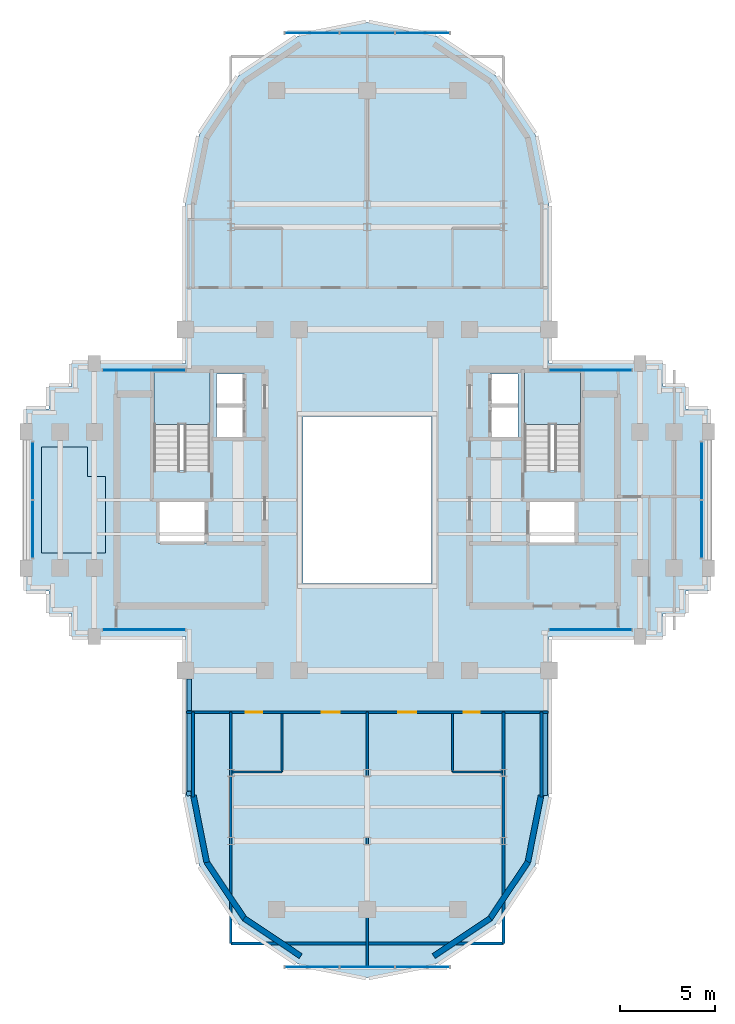
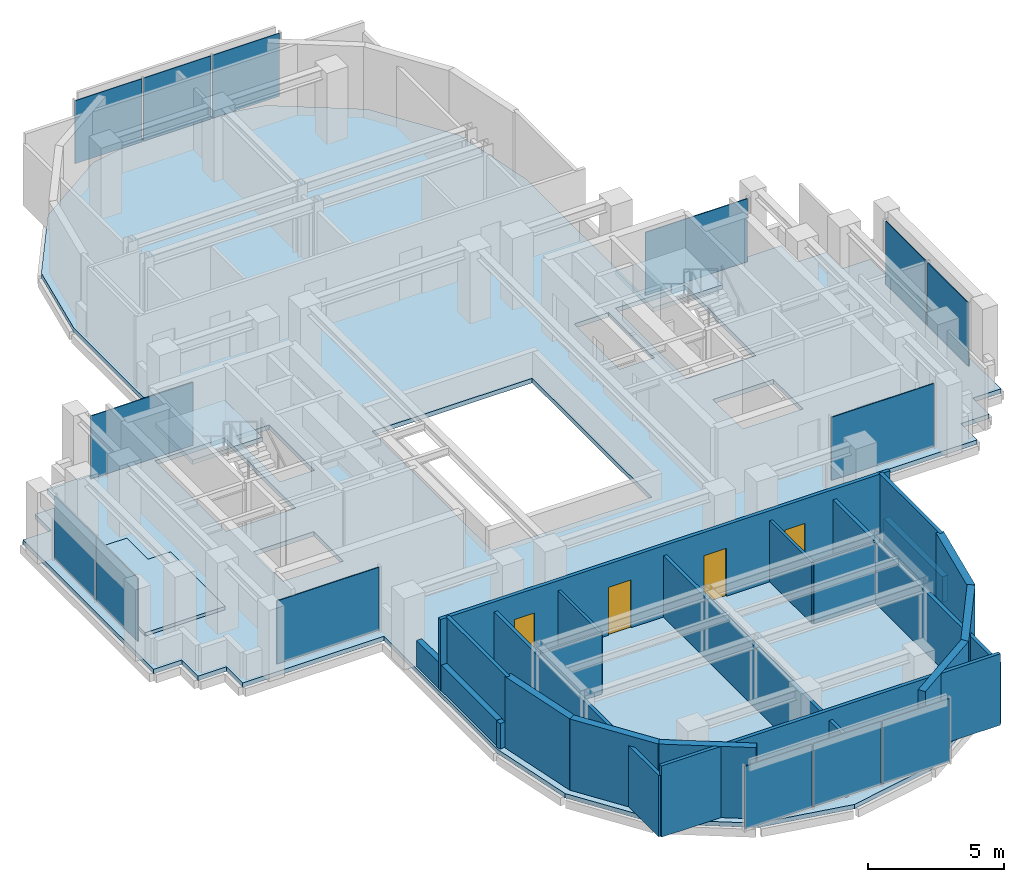
# One storey, part 5 of 11: 21 walls, 14 plates, 4 doors, 4 slabs, 4 openings, 10 elements without a shape of their own.
"""IFC4 building model written with IfcOpenShell, lengths in metres."""

from ifc_helpers import new_model, si_unit, direction, frame, frame_2d, origin, origin_2d, place, context, subcontext, project, spatial, polyline, rectangle, outline, extrude, source, transform, mapped, material, layer, layer_set, type_object, element, fill, aggregate, save


model = new_model("IFC4")

# Units and contexts
model_context = context("Model", 3, precision=1e-05, world=origin(), true_north=direction((0.0, 1.0)))
body_context = subcontext(model_context, "Body", "Model", "MODEL_VIEW")
ifc_project = project(units=[si_unit("LENGTHUNIT", "METRE"), si_unit("AREAUNIT", "SQUARE_METRE"), si_unit("VOLUMEUNIT", "CUBIC_METRE"), si_unit("PLANEANGLEUNIT", "RADIAN"), si_unit("MASSUNIT", "GRAM", prefix="KILO")], contexts=[model_context])

# Site, building, storey
site_placement = place(None, origin())
site = spatial("IfcSite", under=ifc_project, at=site_placement, CompositionType="ELEMENT")
building_placement = place(site_placement, origin())
building = spatial("IfcBuilding", under=site, at=building_placement, Name="Keilestroom Media Tower", CompositionType="ELEMENT")
storey_placement = place(building_placement, frame((0.0, 0.0, 194.39990234375)))
storey = spatial("IfcBuildingStorey", under=building, at=storey_placement, Name="L53", CompositionType="ELEMENT", Elevation=194.39990234375)

# Slabs
ifc_material_1 = material(Name="Concrete C50/60", Category="concrete")
ifc_layer_1 = layer(ifc_material_1, 0.199951171875)
ifc_layer_set_1 = layer_set([ifc_layer_1], Name="Concrete C50/60")
slab_type_1 = type_object("IfcSlabType", Name="Composite-Floor-Slab-200", PredefinedType="FLOOR", material=ifc_layer_set_1)
slab_1_placement = place(storey_placement, frame((0.0, 0.0, -0.199951171875)))
element("IfcSlab", 1, at=slab_1_placement, inside=storey, type_object=slab_type_1, Name="L53 Structural Composite Floor Slab", PredefinedType="FLOOR", context=body_context, shape_type="SweptSolid", body=[
    extrude(outline(polyline([(18.0, -4.800048828125), (18.0, 4.800048828125), (16.800048828125, 4.800048828125), (16.800048828125, 6.0), (15.60009765625, 6.0), (15.60009765625, 7.199951171875), (9.60009765625, 7.199951171875), (9.60009765625, 9.60009765625), (9.60009765625, 15.60009765625), (8.869140625, 19.273681640625), (6.7880859375, 22.38818359375), (3.673828125, 24.46923828125), (0.0, 25.199951171875), (-3.673828125, 24.46923828125), (-6.7880859375, 22.38818359375), (-8.869140625, 19.273681640625), (-9.60009765625, 15.60009765625), (-9.60009765625, 9.60009765625), (-9.60009765625, 7.199951171875), (-15.60009765625, 7.199951171875), (-15.60009765625, 6.0), (-16.800048828125, 6.0), (-16.800048828125, 4.800048828125), (-18.0, 4.800048828125), (-18.0, -4.800048828125), (-16.800048828125, -4.800048828125), (-16.800048828125, -6.0), (-15.60009765625, -6.0), (-15.60009765625, -7.199951171875), (-9.60009765625, -7.199951171875), (-9.60009765625, -9.60009765625), (-9.60009765625, -15.60009765625), (-8.869140625, -19.273681640625), (-6.7880859375, -22.38818359375), (-3.673828125, -24.46923828125), (0.0, -25.199951171875), (3.673828125, -24.46923828125), (6.7880859375, -22.38818359375), (8.869140625, -19.273681640625), (9.60009765625, -15.60009765625), (9.60009765625, -9.60009765625), (9.60009765625, -7.199951171875), (15.60009765625, -7.199951171875), (15.60009765625, -6.0), (16.800048828125, -6.0), (16.800048828125, -4.800048828125), (18.0, -4.800048828125)]), holes=[polyline([(-8.300048828125, 1.544921875), (-11.260009765625, 1.544921875), (-11.260009765625, 6.760009765625), (-8.300048828125, 6.760009765625), (-8.300048828125, 1.544921875)]), polyline([(-8.47998046875, -2.280029296875), (-11.050048828125, -2.280029296875), (-11.050048828125, -0.10009765625), (-8.47998046875, -0.10009765625), (-8.47998046875, -2.280029296875)]), polyline([(-6.47998046875, 3.300048828125), (-7.949951171875, 3.300048828125), (-7.949951171875, 6.64990234375), (-6.47998046875, 6.64990234375), (-6.47998046875, 3.300048828125)]), polyline([(3.39990234375, -4.39990234375), (-3.39990234375, -4.39990234375), (-3.39990234375, 4.39990234375), (3.39990234375, 4.39990234375), (3.39990234375, -4.39990234375)]), polyline([(7.949951171875, 3.300048828125), (6.47998046875, 3.300048828125), (6.47998046875, 6.64990234375), (7.949951171875, 6.64990234375), (7.949951171875, 3.300048828125)]), polyline([(11.260009765625, 1.544921875), (8.300048828125, 1.544921875), (8.300048828125, 6.760009765625), (11.260009765625, 6.760009765625), (11.260009765625, 1.544921875)]), polyline([(11.050048828125, -2.280029296875), (8.47998046875, -2.280029296875), (8.47998046875, -0.10009765625), (11.050048828125, -0.10009765625), (11.050048828125, -2.280029296875)])]), origin(), (0.0, 0.0, 1.0), 0.199951171875),
])
ifc_material_2 = material(Name="Concrete C45/55", Category="concrete")
ifc_layer_2 = layer(ifc_material_2, 0.14990234375)
ifc_layer_set_2 = layer_set([ifc_layer_2], Name="Concrete C45/55")
slab_type_2 = type_object("IfcSlabType", Name="Floating-Studio-Floor-Slab-150", PredefinedType="FLOOR", material=ifc_layer_set_2)
slab_2_placement = place(storey_placement, origin())
element("IfcSlab", 2, at=slab_2_placement, inside=storey, type_object=slab_type_2, Name="L53 Acoustic Floating Studio Slab ST-STE-Z3", PredefinedType="FLOOR", context=body_context, shape_type="SweptSolid", body=[
    extrude(outline(polyline([(-17.199951171875, -2.800048828125), (-13.800048828125, -2.800048828125), (-13.800048828125, 1.23193359375), (-14.751953125, 1.23193359375), (-14.751953125, 2.800048828125), (-17.199951171875, 2.800048828125), (-17.199951171875, -2.800048828125)])), origin(), (0.0, 0.0, 1.0), 0.150146484375),
])

# Stair, slab
stair_type = type_object("IfcStairType", Name="Enclosed-Dog-Leg-Stair-ST-CORE", PredefinedType="HALF_TURN_STAIR", material=ifc_material_2)
stair_1_placement = place(storey_placement, origin())
stair_1 = element("IfcStair", 3, at=stair_1_placement, inside=storey, type_object=stair_type, Name="L53 West Core Escape Stair ST-1", PredefinedType="HALF_TURN_STAIR")
ifc_layer_3 = layer(ifc_material_2, 0.199951171875)
ifc_layer_set_3 = layer_set([ifc_layer_3], Name="Concrete C45/55")
slab_type_3 = type_object("IfcSlabType", Name="Stair-Intermediate-And-Top-Landing-Slab-200", PredefinedType="LANDING", material=ifc_layer_set_3)
slab_3_placement = place(storey_placement, frame((0.0, 0.0, 1.5)))
slab_3 = element("IfcSlab", 4, at=slab_3_placement, type_object=slab_type_3, Name="ST-1 landing 1", PredefinedType="LANDING", context=body_context, shape_type="SweptSolid", body=[
    extrude(outline(polyline([(-8.300048828125, 3.99609375), (-8.300048828125, 6.760009765625), (-11.260009765625, 6.760009765625), (-11.260009765625, 3.99609375), (-8.300048828125, 3.99609375)])), origin(), (0.0, 0.0, 1.0), 0.2001953125),
])
aggregate(stair_1, [slab_3])

stair_2_placement = place(storey_placement, origin())
stair_2 = element("IfcStair", 5, at=stair_2_placement, inside=storey, type_object=stair_type, Name="L53 East Core Escape Stair ST-2", PredefinedType="HALF_TURN_STAIR")
slab_4_placement = place(storey_placement, frame((0.0, 0.0, 1.5)))
slab_4 = element("IfcSlab", 6, at=slab_4_placement, type_object=slab_type_3, Name="ST-2 landing 1", PredefinedType="LANDING", context=body_context, shape_type="SweptSolid", body=[
    extrude(outline(polyline([(11.260009765625, 3.99609375), (11.260009765625, 6.760009765625), (8.300048828125, 6.760009765625), (8.300048828125, 3.99609375), (11.260009765625, 3.99609375)])), origin(), (0.0, 0.0, 1.0), 0.2001953125),
])
aggregate(stair_2, [slab_4])

# Curtain wall, plates
ifc_material_3 = material(Name="Anodised Aluminium Alloy", Category="aluminium")
curtain_wall_type_1 = type_object("IfcCurtainWallType", Name="Unitised-Curtain-Wall-CW-6", PredefinedType="NOTDEFINED", material=ifc_material_3)
curtain_wall_1_placement = place(storey_placement, origin())
curtain_wall_1 = element("IfcCurtainWall", 7, at=curtain_wall_1_placement, inside=storey, type_object=curtain_wall_type_1, Name="L53 Curtain Wall CW-6 CW-L53-LN-1", PredefinedType="NOTDEFINED")
ifc_material_4 = material(Name="Curved-Facet Triple Glazed Unit", Category="glass")
ifc_layer_4 = layer(ifc_material_4, 0.033935546875)
ifc_layer_set_4 = layer_set([ifc_layer_4], Name="Curved-Facet Triple Glazed Unit")
plate_type_1 = type_object("IfcPlateType", Name="Insulated-Curtain-Wall-Glazing-Panel-CW-6", PredefinedType="CURTAIN_PANEL", material=ifc_layer_set_4)
shared_shape_1 = source(origin(), body_context, "Body", "SweptSolid", [
    extrude(rectangle(XDim=2.84375, YDim=0.033935546875, at=origin_2d()), origin(), (0.0, 0.0, 1.0), 2.833984375),
])
plate_1_placement = place(storey_placement, frame((-2.9169921875, 24.64990234375, 0.072998046875), z_axis=(0.0, 0.0, 1.0), x_axis=(1.0, 0.0, 0.0)))
plate_1 = element("IfcPlate", 8, at=plate_1_placement, type_object=plate_type_1, Name="CW-6 Unitised Glazing 00", PredefinedType="CURTAIN_PANEL", context=body_context, shape_type="MappedRepresentation", body=[
    mapped(shared_shape_1, transform((0.0, 0.0, 0.0), x_axis=(1.0, 0.0, 0.0), y_axis=(0.0, 1.0, 0.0), z_axis=(0.0, 0.0, 1.0), scale=1.0)),
])
plate_2_placement = place(storey_placement, frame((2.9169921875, 24.64990234375, 0.072998046875), z_axis=(0.0, 0.0, 1.0), x_axis=(1.0, 0.0, 0.0)))
plate_2 = element("IfcPlate", 9, at=plate_2_placement, type_object=plate_type_1, Name="CW-6 Unitised Glazing 02", PredefinedType="CURTAIN_PANEL", context=body_context, shape_type="MappedRepresentation", body=[
    mapped(shared_shape_1, transform((0.0, 0.0, 0.0), x_axis=(1.0, 0.0, 0.0), y_axis=(0.0, 1.0, 0.0), z_axis=(0.0, 0.0, 1.0), scale=1.0)),
])

curtain_wall_2_placement = place(storey_placement, origin())
curtain_wall_2 = element("IfcCurtainWall", 10, at=curtain_wall_2_placement, inside=storey, type_object=curtain_wall_type_1, Name="L53 Curtain Wall CW-6 CW-L53-LS-1", PredefinedType="NOTDEFINED")
plate_3_placement = place(storey_placement, frame((-2.9169921875, -24.64990234375, 0.072998046875), z_axis=(0.0, 0.0, 1.0), x_axis=(1.0, 0.0, 0.0)))
plate_3 = element("IfcPlate", 11, at=plate_3_placement, type_object=plate_type_1, Name="CW-6 Unitised Glazing 00", PredefinedType="CURTAIN_PANEL", context=body_context, shape_type="MappedRepresentation", body=[
    mapped(shared_shape_1, transform((0.0, 0.0, 0.0), x_axis=(1.0, 0.0, 0.0), y_axis=(0.0, 1.0, 0.0), z_axis=(0.0, 0.0, 1.0), scale=1.0)),
])
plate_4_placement = place(storey_placement, frame((2.9169921875, -24.64990234375, 0.072998046875), z_axis=(0.0, 0.0, 1.0), x_axis=(1.0, 0.0, 0.0)))
plate_4 = element("IfcPlate", 12, at=plate_4_placement, type_object=plate_type_1, Name="CW-6 Unitised Glazing 02", PredefinedType="CURTAIN_PANEL", context=body_context, shape_type="MappedRepresentation", body=[
    mapped(shared_shape_1, transform((0.0, 0.0, 0.0), x_axis=(1.0, 0.0, 0.0), y_axis=(0.0, 1.0, 0.0), z_axis=(0.0, 0.0, 1.0), scale=1.0)),
])

# Plate
shared_shape_2 = source(origin(), body_context, "Body", "SweptSolid", [
    extrude(rectangle(XDim=2.876220703125, YDim=0.033935546875, at=origin_2d()), origin(), (0.0, 0.0, 1.0), 2.833984375),
])
plate_5_placement = place(storey_placement, frame((0.0, 24.64990234375, 0.072998046875), z_axis=(0.0, 0.0, 1.0), x_axis=(1.0, 0.0, 0.0)))
plate_5 = element("IfcPlate", 13, at=plate_5_placement, type_object=plate_type_1, Name="CW-6 Unitised Glazing 01", PredefinedType="CURTAIN_PANEL", context=body_context, shape_type="MappedRepresentation", body=[
    mapped(shared_shape_2, transform((0.0, 0.0, 0.0), x_axis=(1.0, 0.0, 0.0), y_axis=(0.0, 1.0, 0.0), z_axis=(0.0, 0.0, 1.0), scale=1.0)),
])

aggregate(curtain_wall_1, [plate_1, plate_5, plate_2])

plate_6_placement = place(storey_placement, frame((0.0, -24.64990234375, 0.072998046875), z_axis=(0.0, 0.0, 1.0), x_axis=(1.0, 0.0, 0.0)))
plate_6 = element("IfcPlate", 14, at=plate_6_placement, type_object=plate_type_1, Name="CW-6 Unitised Glazing 01", PredefinedType="CURTAIN_PANEL", context=body_context, shape_type="MappedRepresentation", body=[
    mapped(shared_shape_2, transform((0.0, 0.0, 0.0), x_axis=(1.0, 0.0, 0.0), y_axis=(0.0, 1.0, 0.0), z_axis=(0.0, 0.0, 1.0), scale=1.0)),
])

aggregate(curtain_wall_2, [plate_3, plate_6, plate_4])

# Curtain wall, plate
curtain_wall_type_2 = type_object("IfcCurtainWallType", Name="Unitised-Curtain-Wall-CW-3", PredefinedType="NOTDEFINED", material=ifc_material_3)
curtain_wall_3_placement = place(storey_placement, origin())
curtain_wall_3 = element("IfcCurtainWall", 15, at=curtain_wall_3_placement, inside=storey, type_object=curtain_wall_type_2, Name="L53 Curtain Wall CW-3 CW-L53-NW-1", PredefinedType="NOTDEFINED")
ifc_material_5 = material(Name="Triple Glazed Acoustic Low-E Unit", Category="glass")
ifc_layer_5 = layer(ifc_material_5, 0.0380859375)
ifc_layer_set_5 = layer_set([ifc_layer_5], Name="Triple Glazed Acoustic Low-E Unit")
plate_type_2 = type_object("IfcPlateType", Name="Insulated-Curtain-Wall-Glazing-Panel-CW-3", PredefinedType="CURTAIN_PANEL", material=ifc_layer_set_5)
shared_shape_3 = source(origin(), body_context, "Body", "SweptSolid", [
    extrude(rectangle(XDim=4.343017578125, YDim=0.0380859375, at=origin_2d()), origin(), (0.0, 0.0, 1.0), 2.833984375),
])
plate_7_placement = place(storey_placement, frame((-11.782470703125, 6.85009765625, 0.072998046875), z_axis=(0.0, 0.0, 1.0), x_axis=(1.0, 0.0, 0.0)))
plate_7 = element("IfcPlate", 16, at=plate_7_placement, type_object=plate_type_2, Name="CW-3 Unitised Glazing 00", PredefinedType="CURTAIN_PANEL", context=body_context, shape_type="MappedRepresentation", body=[
    mapped(shared_shape_3, transform((0.0, 0.0, 0.0), x_axis=(1.0, 0.0, 0.0), y_axis=(0.0, 1.0, 0.0), z_axis=(0.0, 0.0, 1.0), scale=1.0)),
])
aggregate(curtain_wall_3, [plate_7])

curtain_wall_4_placement = place(storey_placement, origin())
curtain_wall_4 = element("IfcCurtainWall", 17, at=curtain_wall_4_placement, inside=storey, type_object=curtain_wall_type_2, Name="L53 Curtain Wall CW-3 CW-L53-NE-1", PredefinedType="NOTDEFINED")
plate_8_placement = place(storey_placement, frame((11.782470703125, 6.85009765625, 0.072998046875), z_axis=(0.0, 0.0, 1.0), x_axis=(1.0, 0.0, 0.0)))
plate_8 = element("IfcPlate", 18, at=plate_8_placement, type_object=plate_type_2, Name="CW-3 Unitised Glazing 00", PredefinedType="CURTAIN_PANEL", context=body_context, shape_type="MappedRepresentation", body=[
    mapped(shared_shape_3, transform((0.0, 0.0, 0.0), x_axis=(1.0, 0.0, 0.0), y_axis=(0.0, 1.0, 0.0), z_axis=(0.0, 0.0, 1.0), scale=1.0)),
])
aggregate(curtain_wall_4, [plate_8])

curtain_wall_5_placement = place(storey_placement, origin())
curtain_wall_5 = element("IfcCurtainWall", 19, at=curtain_wall_5_placement, inside=storey, type_object=curtain_wall_type_2, Name="L53 Curtain Wall CW-3 CW-L53-SW-1", PredefinedType="NOTDEFINED")
plate_9_placement = place(storey_placement, frame((-11.782470703125, -6.85009765625, 0.072998046875), z_axis=(0.0, 0.0, 1.0), x_axis=(1.0, 0.0, 0.0)))
plate_9 = element("IfcPlate", 20, at=plate_9_placement, type_object=plate_type_2, Name="CW-3 Unitised Glazing 00", PredefinedType="CURTAIN_PANEL", context=body_context, shape_type="MappedRepresentation", body=[
    mapped(shared_shape_3, transform((0.0, 0.0, 0.0), x_axis=(1.0, 0.0, 0.0), y_axis=(0.0, 1.0, 0.0), z_axis=(0.0, 0.0, 1.0), scale=1.0)),
])
aggregate(curtain_wall_5, [plate_9])

curtain_wall_6_placement = place(storey_placement, origin())
curtain_wall_6 = element("IfcCurtainWall", 21, at=curtain_wall_6_placement, inside=storey, type_object=curtain_wall_type_2, Name="L53 Curtain Wall CW-3 CW-L53-SE-1", PredefinedType="NOTDEFINED")
plate_10_placement = place(storey_placement, frame((11.782470703125, -6.85009765625, 0.072998046875), z_axis=(0.0, 0.0, 1.0), x_axis=(1.0, 0.0, 0.0)))
plate_10 = element("IfcPlate", 22, at=plate_10_placement, type_object=plate_type_2, Name="CW-3 Unitised Glazing 00", PredefinedType="CURTAIN_PANEL", context=body_context, shape_type="MappedRepresentation", body=[
    mapped(shared_shape_3, transform((0.0, 0.0, 0.0), x_axis=(1.0, 0.0, 0.0), y_axis=(0.0, 1.0, 0.0), z_axis=(0.0, 0.0, 1.0), scale=1.0)),
])
aggregate(curtain_wall_6, [plate_10])

# Curtain wall, plates
curtain_wall_7_placement = place(storey_placement, origin())
curtain_wall_7 = element("IfcCurtainWall", 23, at=curtain_wall_7_placement, inside=storey, type_object=curtain_wall_type_2, Name="L53 Curtain Wall CW-3 CW-L53-W-1", PredefinedType="NOTDEFINED")
shared_shape_4 = source(origin(), body_context, "Body", "SweptSolid", [
    extrude(rectangle(XDim=3.025390625, YDim=0.0380859375, at=origin_2d()), origin(), (0.0, 0.0, 1.0), 2.833984375),
])
plate_11_placement = place(storey_placement, frame((-17.64990234375, -1.541259765625, 0.072998046875), z_axis=(0.0, 0.0, 1.0), x_axis=(0.0, 1.0, 0.0)))
plate_11 = element("IfcPlate", 24, at=plate_11_placement, type_object=plate_type_2, Name="CW-3 Unitised Glazing 00", PredefinedType="CURTAIN_PANEL", context=body_context, shape_type="MappedRepresentation", body=[
    mapped(shared_shape_4, transform((0.0, 0.0, 0.0), x_axis=(1.0, 0.0, 0.0), y_axis=(0.0, 1.0, 0.0), z_axis=(0.0, 0.0, 1.0), scale=1.0)),
])
plate_12_placement = place(storey_placement, frame((-17.64990234375, 1.541259765625, 0.072998046875), z_axis=(0.0, 0.0, 1.0), x_axis=(0.0, 1.0, 0.0)))
plate_12 = element("IfcPlate", 25, at=plate_12_placement, type_object=plate_type_2, Name="CW-3 Unitised Glazing 01", PredefinedType="CURTAIN_PANEL", context=body_context, shape_type="MappedRepresentation", body=[
    mapped(shared_shape_4, transform((0.0, 0.0, 0.0), x_axis=(1.0, 0.0, 0.0), y_axis=(0.0, 1.0, 0.0), z_axis=(0.0, 0.0, 1.0), scale=1.0)),
])
aggregate(curtain_wall_7, [plate_11, plate_12])

curtain_wall_8_placement = place(storey_placement, origin())
curtain_wall_8 = element("IfcCurtainWall", 26, at=curtain_wall_8_placement, inside=storey, type_object=curtain_wall_type_2, Name="L53 Curtain Wall CW-3 CW-L53-E-1", PredefinedType="NOTDEFINED")
plate_13_placement = place(storey_placement, frame((17.64990234375, -1.541259765625, 0.072998046875), z_axis=(0.0, 0.0, 1.0), x_axis=(0.0, 1.0, 0.0)))
plate_13 = element("IfcPlate", 27, at=plate_13_placement, type_object=plate_type_2, Name="CW-3 Unitised Glazing 00", PredefinedType="CURTAIN_PANEL", context=body_context, shape_type="MappedRepresentation", body=[
    mapped(shared_shape_4, transform((0.0, 0.0, 0.0), x_axis=(1.0, 0.0, 0.0), y_axis=(0.0, 1.0, 0.0), z_axis=(0.0, 0.0, 1.0), scale=1.0)),
])
plate_14_placement = place(storey_placement, frame((17.64990234375, 1.541259765625, 0.072998046875), z_axis=(0.0, 0.0, 1.0), x_axis=(0.0, 1.0, 0.0)))
plate_14 = element("IfcPlate", 28, at=plate_14_placement, type_object=plate_type_2, Name="CW-3 Unitised Glazing 01", PredefinedType="CURTAIN_PANEL", context=body_context, shape_type="MappedRepresentation", body=[
    mapped(shared_shape_4, transform((0.0, 0.0, 0.0), x_axis=(1.0, 0.0, 0.0), y_axis=(0.0, 1.0, 0.0), z_axis=(0.0, 0.0, 1.0), scale=1.0)),
])
aggregate(curtain_wall_8, [plate_13, plate_14])

# Walls
ifc_material_6 = material(Name="Precast concrete C40/50", Category="concrete")
ifc_layer_6 = layer(ifc_material_6, 0.300048828125)
ifc_layer_set_6 = layer_set([ifc_layer_6], Name="Precast concrete C40/50")
wall_type_1 = type_object("IfcWallType", Name="Exterior-Masonry-Spandrel-Wall-300", PredefinedType="SOLIDWALL", material=ifc_layer_set_6)
for number, where, z_axis, x_axis, name in (
    (29, (-9.1748046875, -15.585205078125, 0.0), (0.0, 0.0, 1.0), (0.195114232679, -0.980780523974, 0.0), "L53 Lobe Facet Precast Frame Wall 07"),
    (30, (-8.48193359375, -19.097412109375, 0.0), (0.0, 0.0, 1.0), (0.555574187116, -0.831466970246, 0.0), "L53 Lobe Facet Precast Frame Wall 08"),
):
    element("IfcWall", number, at=place(storey_placement, frame(where, z_axis=z_axis, x_axis=x_axis)), inside=storey, type_object=wall_type_1, Name=name, PredefinedType="SOLIDWALL", context=body_context, shape_type="SweptSolid", body=[
        extrude(rectangle(XDim=3.608642578125, YDim=0.300048828125, at=frame_2d((1.80419921875, 0.0))), origin(), (0.0, 0.0, 1.0), 3.2001953125),
    ])
for number, where, z_axis, x_axis, name in (
    (31, (-6.497802734375, -22.0771484375, 0.0), (0.0, 0.0, 1.0), (0.8314749531, -0.555562239868, 0.0), "L53 Lobe Facet Precast Frame Wall 09"),
    (32, (3.510009765625, -24.073486328125, 0.0), (0.0, 0.0, 1.0), (0.8314749531, 0.555562239868, 0.0), "L53 Lobe Facet Precast Frame Wall 10"),
):
    element("IfcWall", number, at=place(storey_placement, frame(where, z_axis=z_axis, x_axis=x_axis)), inside=storey, type_object=wall_type_1, Name=name, PredefinedType="SOLIDWALL", context=body_context, shape_type="SweptSolid", body=[
        extrude(rectangle(XDim=3.59326171875, YDim=0.300048828125, at=frame_2d((1.796630859375, 0.0))), origin(), (0.0, 0.0, 1.0), 3.2001953125),
    ])
for number, where, z_axis, x_axis, name in (
    (33, (6.47705078125, -22.097900390625, 0.0), (0.0, 0.0, 1.0), (0.555574187116, 0.831466970246, 0.0), "L53 Lobe Facet Precast Frame Wall 11"),
    (34, (8.470703125, -19.12451171875, 0.0), (0.0, 0.0, 1.0), (0.195114232679, 0.980780523974, 0.0), "L53 Lobe Facet Precast Frame Wall 12"),
):
    element("IfcWall", number, at=place(storey_placement, frame(where, z_axis=z_axis, x_axis=x_axis)), inside=storey, type_object=wall_type_1, Name=name, PredefinedType="SOLIDWALL", context=body_context, shape_type="SweptSolid", body=[
        extrude(rectangle(XDim=3.608642578125, YDim=0.300048828125, at=frame_2d((1.80419921875, 0.0))), origin(), (0.0, 0.0, 1.0), 3.2001953125),
    ])
ifc_material_7 = material(Name="Gypsum Plasterboard & Steel Stud", Category="steel")
ifc_layer_7 = layer(ifc_material_7, 0.1201171875)
ifc_layer_set_7 = layer_set([ifc_layer_7], Name="Gypsum Plasterboard & Steel Stud")
wall_type_2 = type_object("IfcWallType", Name="Interior-Partition-Wall-120", PredefinedType="PARTITIONING", material=ifc_layer_set_7)
wall_1_placement = place(storey_placement, frame((-4.5, -14.360107421875, 0.0), z_axis=(0.0, 0.0, 1.0), x_axis=(0.0, 1.0, 0.0)))
element("IfcWall", 35, at=wall_1_placement, inside=storey, type_object=wall_type_2, Name="L53 Interior Wall WP-L53-ENS307W-SWP", PredefinedType="PARTITIONING", context=body_context, shape_type="SweptSolid", body=[
    extrude(rectangle(XDim=3.10009765625, YDim=0.1201171875, at=frame_2d((1.550048828125, 0.0))), origin(), (0.0, 0.0, 1.0), 2.75),
])
wall_2_placement = place(storey_placement, frame((-7.139892578125, -14.360107421875, 0.0), z_axis=(0.0, 0.0, 1.0), x_axis=(1.0, 0.0, 0.0)))
element("IfcWall", 36, at=wall_2_placement, inside=storey, type_object=wall_type_2, Name="L53 Interior Wall WP-L53-ENS307H-SWP", PredefinedType="PARTITIONING", context=body_context, shape_type="SweptSolid", body=[
    extrude(rectangle(XDim=2.639892578125, YDim=0.1201171875, at=frame_2d((1.31982421875, 0.0))), origin(), (0.0, 0.0, 1.0), 2.75),
])
wall_3_placement = place(storey_placement, frame((4.5, -14.360107421875, 0.0), z_axis=(0.0, 0.0, 1.0), x_axis=(0.0, 1.0, 0.0)))
element("IfcWall", 37, at=wall_3_placement, inside=storey, type_object=wall_type_2, Name="L53 Interior Wall WP-L53-ENS307W-SEP", PredefinedType="PARTITIONING", context=body_context, shape_type="SweptSolid", body=[
    extrude(rectangle(XDim=3.10009765625, YDim=0.1201171875, at=frame_2d((1.550048828125, 0.0))), origin(), (0.0, 0.0, 1.0), 2.75),
])
wall_4_placement = place(storey_placement, frame((4.5, -14.360107421875, 0.0), z_axis=(0.0, 0.0, 1.0), x_axis=(1.0, 0.0, 0.0)))
element("IfcWall", 38, at=wall_4_placement, inside=storey, type_object=wall_type_2, Name="L53 Interior Wall WP-L53-ENS307H-SEP", PredefinedType="PARTITIONING", context=body_context, shape_type="SweptSolid", body=[
    extrude(rectangle(XDim=2.639892578125, YDim=0.1201171875, at=frame_2d((1.31982421875, 0.0))), origin(), (0.0, 0.0, 1.0), 2.75),
])

# Wall, openings, doors
ifc_layer_8 = layer(ifc_material_7, 0.14990234375)
ifc_layer_set_8 = layer_set([ifc_layer_8], Name="Gypsum Plasterboard & Steel Stud")
wall_type_3 = type_object("IfcWallType", Name="Interior-Partition-Wall-150", PredefinedType="PARTITIONING", material=ifc_layer_set_8)
wall_5_placement = place(storey_placement, frame((-9.550048828125, -11.199951171875, 0.0), z_axis=(0.0, 0.0, 1.0), x_axis=(1.0, 0.0, 0.0)))
wall_5 = element("IfcWall", 39, at=wall_5_placement, inside=storey, type_object=wall_type_3, Name="L53 Interior Wall WP-L53-H307-S-BASE", PredefinedType="PARTITIONING", context=body_context, shape_type="SweptSolid", body=[
    extrude(rectangle(XDim=19.10009765625, YDim=0.14990234375, at=frame_2d((9.550048828125, 0.0))), origin(), (0.0, 0.0, 1.0), 3.2001953125),
])
opening_1_placement = place(wall_5_placement, frame((3.14990234375, 0.0, 0.0)))
opening_1 = element("IfcOpeningElement", 40, at=opening_1_placement, cuts=wall_5, Name="Opening DI-05", PredefinedType="OPENING", context=body_context, shape_type="SweptSolid", body=[
    extrude(rectangle(XDim=0.85009765625, YDim=2.10009765625, at=frame_2d((0.425048828125, 1.050048828125))), frame((0.0, 0.0849609375, 0.0), z_axis=(0.0, -1.0, 0.0), x_axis=(1.0, 0.0, 0.0)), (0.0, 0.0, 1.0), 0.169921875),
])
opening_2_placement = place(wall_5_placement, frame((7.14990234375, 0.0, 0.0)))
opening_2 = element("IfcOpeningElement", 41, at=opening_2_placement, cuts=wall_5, Name="Opening DI-03", PredefinedType="OPENING", context=body_context, shape_type="SweptSolid", body=[
    extrude(rectangle(XDim=0.949951171875, YDim=2.14990234375, at=frame_2d((0.47509765625, 1.074951171875))), frame((0.0, 0.0849609375, 0.0), z_axis=(0.0, -1.0, 0.0), x_axis=(1.0, 0.0, 0.0)), (0.0, 0.0, 1.0), 0.169921875),
])
opening_3_placement = place(wall_5_placement, frame((14.64990234375, 0.0, 0.0)))
opening_3 = element("IfcOpeningElement", 42, at=opening_3_placement, cuts=wall_5, Name="Opening DI-05", PredefinedType="OPENING", context=body_context, shape_type="SweptSolid", body=[
    extrude(rectangle(XDim=0.85009765625, YDim=2.10009765625, at=frame_2d((0.425048828125, 1.050048828125))), frame((0.0, 0.0849609375, 0.0), z_axis=(0.0, -1.0, 0.0), x_axis=(1.0, 0.0, 0.0)), (0.0, 0.0, 1.0), 0.169921875),
])
opening_4_placement = place(wall_5_placement, frame((11.199951171875, 0.0, 0.0)))
opening_4 = element("IfcOpeningElement", 43, at=opening_4_placement, cuts=wall_5, Name="Opening DI-03", PredefinedType="OPENING", context=body_context, shape_type="SweptSolid", body=[
    extrude(rectangle(XDim=0.949951171875, YDim=2.14990234375, at=frame_2d((0.47509765625, 1.074951171875))), frame((0.0, 0.0849609375, 0.0), z_axis=(0.0, -1.0, 0.0), x_axis=(1.0, 0.0, 0.0)), (0.0, 0.0, 1.0), 0.169921875),
])
ifc_material_8 = material(Name="Lacquered European Oak Leaf", Category="wood")
door_type_1 = type_object("IfcDoorType", Name="Interior-Room-And-Suite-Door-DI-03", OperationType="NOTDEFINED", PredefinedType="DOOR", material=ifc_material_8)
shared_shape_5 = source(origin(), body_context, "Body", "SweptSolid", [
    extrude(rectangle(XDim=0.949951171875, YDim=2.14990234375, at=frame_2d((0.47509765625, 1.074951171875))), frame((0.0, 0.02490234375, 0.0), z_axis=(0.0, -1.0, 0.0), x_axis=(1.0, 0.0, 0.0)), (0.0, 0.0, 1.0), 0.050048828125),
])
door_1_placement = place(opening_2_placement, origin())
door_1 = element("IfcDoor", 44, at=door_1_placement, inside=storey, type_object=door_type_1, Name="L53 Interior Door DI-L53-DHTL307-SWP", OperationType="SINGLE_SWING_RIGHT", OverallHeight=2.14990234375, OverallWidth=0.949951171875, PredefinedType="DOOR", context=body_context, shape_type="MappedRepresentation", body=[
    mapped(shared_shape_5, transform((0.0, 0.0, 0.0), x_axis=(1.0, 0.0, 0.0), y_axis=(0.0, 1.0, 0.0), z_axis=(0.0, 0.0, 1.0), scale=1.0)),
])
fill(opening_2, door_1)
door_2_placement = place(opening_4_placement, origin())
door_2 = element("IfcDoor", 45, at=door_2_placement, inside=storey, type_object=door_type_1, Name="L53 Interior Door DI-L53-DHTL307-SEP", OperationType="SINGLE_SWING_RIGHT", OverallHeight=2.14990234375, OverallWidth=0.949951171875, PredefinedType="DOOR", context=body_context, shape_type="MappedRepresentation", body=[
    mapped(shared_shape_5, transform((0.0, 0.0, 0.0), x_axis=(1.0, 0.0, 0.0), y_axis=(0.0, 1.0, 0.0), z_axis=(0.0, 0.0, 1.0), scale=1.0)),
])
fill(opening_4, door_2)
ifc_material_9 = material(Name="Moisture-Resistant Oak Leaf", Category="wood")
door_type_2 = type_object("IfcDoorType", Name="Interior-En-Suite-And-Cupboard-Door-DI-05", OperationType="NOTDEFINED", PredefinedType="DOOR", material=ifc_material_9)
shared_shape_6 = source(origin(), body_context, "Body", "SweptSolid", [
    extrude(rectangle(XDim=0.85009765625, YDim=2.10009765625, at=frame_2d((0.425048828125, 1.050048828125))), frame((0.0, 0.02490234375, 0.0), z_axis=(0.0, -1.0, 0.0), x_axis=(1.0, 0.0, 0.0)), (0.0, 0.0, 1.0), 0.050048828125),
])
door_3_placement = place(opening_1_placement, origin())
door_3 = element("IfcDoor", 46, at=door_3_placement, inside=storey, type_object=door_type_2, Name="L53 Interior Door DI-L53-DENS307-SWP", OperationType="SINGLE_SWING_LEFT", OverallHeight=2.10009765625, OverallWidth=0.85009765625, PredefinedType="DOOR", context=body_context, shape_type="MappedRepresentation", body=[
    mapped(shared_shape_6, transform((0.0, 0.0, 0.0), x_axis=(1.0, 0.0, 0.0), y_axis=(0.0, 1.0, 0.0), z_axis=(0.0, 0.0, 1.0), scale=1.0)),
])
fill(opening_1, door_3)
door_4_placement = place(opening_3_placement, origin())
door_4 = element("IfcDoor", 47, at=door_4_placement, inside=storey, type_object=door_type_2, Name="L53 Interior Door DI-L53-DENS307-SEP", OperationType="SINGLE_SWING_LEFT", OverallHeight=2.10009765625, OverallWidth=0.85009765625, PredefinedType="DOOR", context=body_context, shape_type="MappedRepresentation", body=[
    mapped(shared_shape_6, transform((0.0, 0.0, 0.0), x_axis=(1.0, 0.0, 0.0), y_axis=(0.0, 1.0, 0.0), z_axis=(0.0, 0.0, 1.0), scale=1.0)),
])
fill(opening_3, door_4)

# Walls
for number, where, z_axis, x_axis, name in (
    (48, (-9.199951171875, -15.679931640625, 0.0), (0.0, 0.0, 1.0), (0.0, 1.0, 0.0), "L53 Interior Wall WP-L53-SL-CHKW"),
    (49, (9.199951171875, -15.679931640625, 0.0), (0.0, 0.0, 1.0), (0.0, 1.0, 0.0), "L53 Interior Wall WP-L53-SL-CHKE"),
):
    element("IfcWall", number, at=place(storey_placement, frame(where, z_axis=z_axis, x_axis=x_axis)), inside=storey, type_object=wall_type_3, Name=name, PredefinedType="PARTITIONING", context=body_context, shape_type="SweptSolid", body=[
        extrude(rectangle(XDim=4.47998046875, YDim=0.14990234375, at=frame_2d((2.239990234375, 0.0))), origin(), (0.0, 0.0, 1.0), 3.2001953125),
    ])
wall_6_placement = place(storey_placement, frame((-7.199951171875, -23.39990234375, 0.0), z_axis=(0.0, 0.0, 1.0), x_axis=(0.0, 1.0, 0.0)))
element("IfcWall", 50, at=wall_6_placement, inside=storey, type_object=wall_type_3, Name="L53 Interior Wall WP-L53-H307-SV--72", PredefinedType="PARTITIONING", context=body_context, shape_type="SweptSolid", body=[
    extrude(rectangle(XDim=12.199951171875, YDim=0.14990234375, at=frame_2d((6.10009765625, 0.0))), origin(), (0.0, 0.0, 1.0), 2.75),
])
wall_7_placement = place(storey_placement, frame((0.0, -24.64990234375, 0.0), z_axis=(0.0, 0.0, 1.0), x_axis=(0.0, 1.0, 0.0)))
element("IfcWall", 51, at=wall_7_placement, inside=storey, type_object=wall_type_3, Name="L53 Interior Wall WP-L53-H307-SV-0", PredefinedType="PARTITIONING", context=body_context, shape_type="SweptSolid", body=[
    extrude(rectangle(XDim=13.449951171875, YDim=0.14990234375, at=frame_2d((6.72509765625, 0.0))), origin(), (0.0, 0.0, 1.0), 2.75),
])
wall_8_placement = place(storey_placement, frame((7.199951171875, -23.39990234375, 0.0), z_axis=(0.0, 0.0, 1.0), x_axis=(0.0, 1.0, 0.0)))
element("IfcWall", 52, at=wall_8_placement, inside=storey, type_object=wall_type_3, Name="L53 Interior Wall WP-L53-H307-SV-72", PredefinedType="PARTITIONING", context=body_context, shape_type="SweptSolid", body=[
    extrude(rectangle(XDim=12.199951171875, YDim=0.14990234375, at=frame_2d((6.10009765625, 0.0))), origin(), (0.0, 0.0, 1.0), 2.75),
])
wall_9_placement = place(storey_placement, frame((-7.199951171875, -23.39990234375, 0.0), z_axis=(0.0, 0.0, 1.0), x_axis=(1.0, 0.0, 0.0)))
element("IfcWall", 53, at=wall_9_placement, inside=storey, type_object=wall_type_3, Name="L53 Interior Wall WP-L53-H307-STIP", PredefinedType="PARTITIONING", context=body_context, shape_type="SweptSolid", body=[
    extrude(rectangle(XDim=14.39990234375, YDim=0.14990234375, at=frame_2d((7.199951171875, 0.0))), origin(), (0.0, 0.0, 1.0), 3.2001953125),
])
ifc_layer_9 = layer(ifc_material_6, 0.239990234375)
ifc_layer_set_9 = layer_set([ifc_layer_9], Name="Precast concrete C40/50")
wall_type_4 = type_object("IfcWallType", Name="Roof-And-Terrace-Parapet-Wall-240", PredefinedType="PARAPET", material=ifc_layer_set_9)
wall_10_placement = place(storey_placement, frame((9.39990234375, -11.278076171875, 0.0), z_axis=(0.0, 0.0, 1.0), x_axis=(0.0, -1.0, 0.0)))
element("IfcWall", 54, at=wall_10_placement, inside=storey, type_object=wall_type_4, Name="L53 Perimeter Edge Parapet Wall 10", PredefinedType="PARAPET", context=body_context, shape_type="SweptSolid", body=[
    extrude(rectangle(XDim=4.32470703125, YDim=0.239990234375, at=frame_2d((2.162353515625, 0.0))), origin(), (0.0, 0.0, 1.0), 1.150146484375),
])
wall_11_placement = place(storey_placement, frame((-9.395263671875, -15.604248046875, 0.0), z_axis=(0.0, 0.0, 1.0), x_axis=(-0.194652052864, 0.980872355771, 0.0)))
element("IfcWall", 55, at=wall_11_placement, inside=storey, type_object=wall_type_4, Name="L53 Perimeter Edge Parapet Wall 11", PredefinedType="PARAPET", context=body_context, shape_type="SweptSolid", body=[
    extrude(rectangle(XDim=0.224609375, YDim=0.239990234375, at=frame_2d((0.1123046875, 0.0))), origin(), (0.0, 0.0, 1.0), 1.150146484375),
])
wall_12_placement = place(storey_placement, frame((-9.39990234375, -15.357666015625, 0.0), z_axis=(0.0, 0.0, 1.0), x_axis=(0.0, 1.0, 0.0)))
element("IfcWall", 56, at=wall_12_placement, inside=storey, type_object=wall_type_4, Name="L53 Perimeter Edge Parapet Wall 12", PredefinedType="PARAPET", context=body_context, shape_type="SweptSolid", body=[
    extrude(rectangle(XDim=4.07958984375, YDim=0.239990234375, at=frame_2d((2.039794921875, 0.0))), origin(), (0.0, 0.0, 1.0), 1.150146484375),
])
wall_13_placement = place(storey_placement, frame((-9.39990234375, -11.1220703125, 0.0), z_axis=(0.0, 0.0, 1.0), x_axis=(0.0, 1.0, 0.0)))
element("IfcWall", 57, at=wall_13_placement, inside=storey, type_object=wall_type_4, Name="L53 Perimeter Edge Parapet Wall 13", PredefinedType="PARAPET", context=body_context, shape_type="SweptSolid", body=[
    extrude(rectangle(XDim=1.669189453125, YDim=0.239990234375, at=frame_2d((0.83447265625, 0.0))), origin(), (0.0, 0.0, 1.0), 1.150146484375),
])

save(model, "model.ifc")
